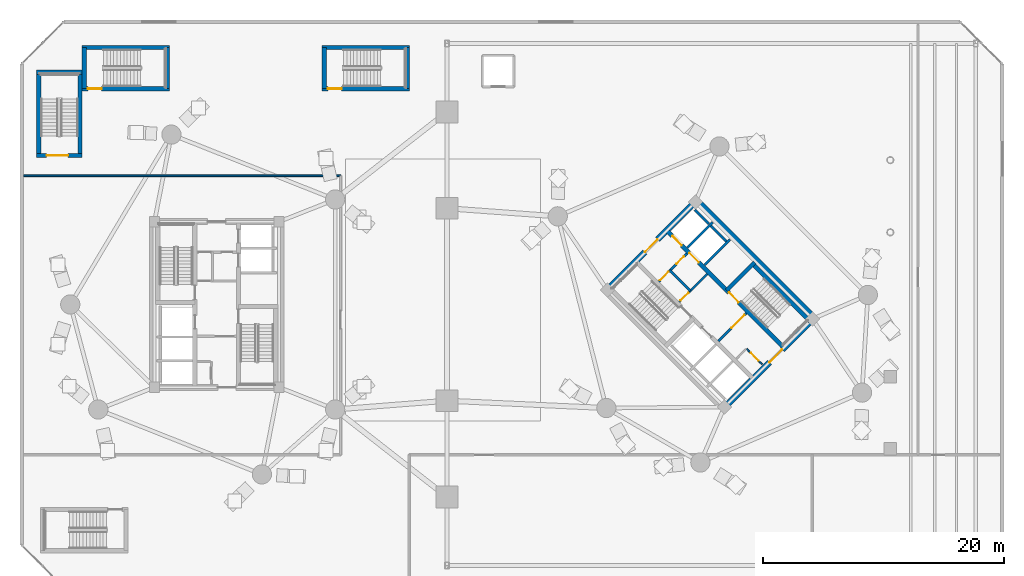
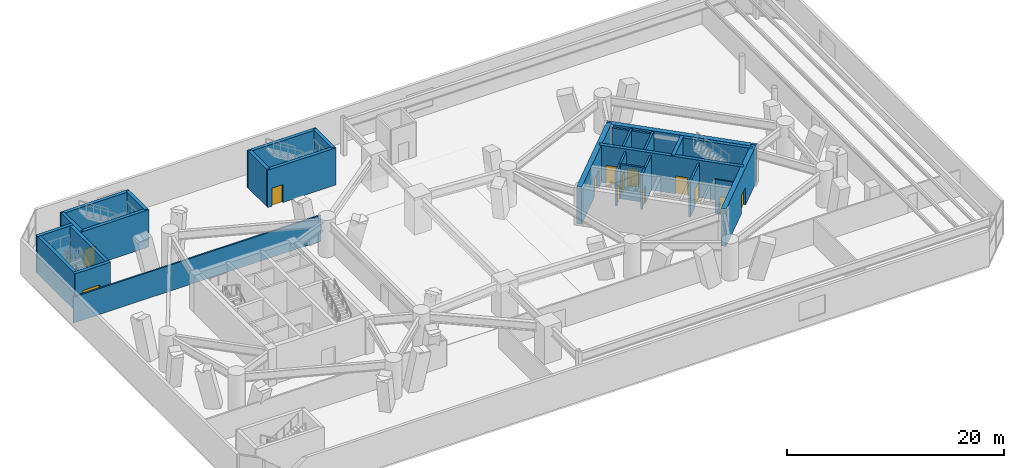
# One storey, part 13 of 20: 28 walls, 13 doors, 13 openings.
"""IFC4 building model written with IfcOpenShell, lengths in metres."""

from ifc_helpers import new_model, si_unit, direction, frame, frame_2d, origin, place, context, subcontext, project, spatial, rectangle, extrude, source, transform, mapped, material, layer, layer_set, type_object, element, fill, save


model = new_model("IFC4")

# Units and contexts
model_context = context("Model", 3, precision=1e-05, world=origin(), true_north=direction((0.0, 1.0)))
body_context = subcontext(model_context, "Body", "Model", "MODEL_VIEW")
ifc_project = project(units=[si_unit("LENGTHUNIT", "METRE"), si_unit("AREAUNIT", "SQUARE_METRE"), si_unit("VOLUMEUNIT", "CUBIC_METRE"), si_unit("PLANEANGLEUNIT", "RADIAN"), si_unit("MASSUNIT", "GRAM", prefix="KILO")], contexts=[model_context])

# Site, building, storey
site_placement = place(None, origin())
site = spatial("IfcSite", under=ifc_project, at=site_placement, CompositionType="ELEMENT")
building_placement = place(site_placement, origin())
building = spatial("IfcBuilding", under=site, at=building_placement, Name="Cununo Teusaquillo Station Towers", CompositionType="ELEMENT")
storey_placement = place(building_placement, frame((0.0, 0.0, 9.0)))
storey = spatial("IfcBuildingStorey", under=building, at=storey_placement, Name="L02", CompositionType="ELEMENT", Elevation=9.0)

# Walls
ifc_material_1 = material(Name="Concrete C50/60", Category="concrete")
ifc_layer_1 = layer(ifc_material_1, 0.199951171875)
ifc_layer_set_1 = layer_set([ifc_layer_1], Name="Concrete C50/60")
wall_type_1 = type_object("IfcWallType", Name="WL-CORE-200", PredefinedType="SHEAR", material=ifc_layer_set_1)
wall_1_placement = place(storey_placement, frame((57.0615234375, 27.781005859375, 0.0), z_axis=(0.0, 0.0, 1.0), x_axis=(0.707106781187, 0.707106781187, 0.0)))
element("IfcWall", 1, at=wall_1_placement, inside=storey, type_object=wall_type_1, Name="L02 Tower B Low-Rise Lift Hoistway South Shear Wall", PredefinedType="SHEAR", context=body_context, shape_type="SweptSolid", body=[
    extrude(rectangle(XDim=2.969970703125, YDim=0.199951171875, at=frame_2d((1.48486328125, 0.0))), origin(), (0.0, 0.0, 1.0), 4.199951171875),
])
wall_2_placement = place(storey_placement, frame((55.615478515625, 29.22705078125, 0.0), z_axis=(0.0, 0.0, 1.0), x_axis=(0.707147878904, 0.70706568108, 0.0)))
element("IfcWall", 2, at=wall_2_placement, inside=storey, type_object=wall_type_1, Name="L02 Tower B Low-Rise Lift Hoistway Divider Shear Wall", PredefinedType="SHEAR", context=body_context, shape_type="SweptSolid", body=[
    extrude(rectangle(XDim=2.97021484375, YDim=0.199951171875, at=frame_2d((1.485107421875, 0.0))), origin(), (0.0, 0.0, 1.0), 4.199951171875),
])
wall_3_placement = place(storey_placement, frame((58.86474609375, 29.75390625, 0.0), z_axis=(0.0, 0.0, 1.0), x_axis=(-0.707174411312, 0.707039144592, 0.0)))
element("IfcWall", 3, at=wall_3_placement, inside=storey, type_object=wall_type_1, Name="L02 Tower B Low-Rise Lift 1 Shaft Rear Shear Wall", PredefinedType="SHEAR", context=body_context, shape_type="SweptSolid", body=[
    extrude(rectangle(XDim=1.804931640625, YDim=0.199951171875, at=frame_2d((0.90234375, 0.0))), origin(), (0.0, 0.0, 1.0), 4.199951171875),
])
wall_4_placement = place(storey_placement, frame((57.418701171875, 31.19970703125, 0.0), z_axis=(0.0, 0.0, 1.0), x_axis=(-0.707032117043, 0.707181437447, 0.0)))
element("IfcWall", 4, at=wall_4_placement, inside=storey, type_object=wall_type_1, Name="L02 Tower B Low-Rise Lift 2 Shaft Rear Shear Wall", PredefinedType="SHEAR", context=body_context, shape_type="SweptSolid", body=[
    extrude(rectangle(XDim=1.635009765625, YDim=0.199951171875, at=frame_2d((0.8173828125, 0.0))), origin(), (0.0, 0.0, 1.0), 4.199951171875),
])

# Wall, opening, door
ifc_material_2 = material(Name="Concrete C50/60", Category="concrete")
ifc_layer_2 = layer(ifc_material_2, 0.35009765625)
ifc_layer_set_2 = layer_set([ifc_layer_2], Name="Concrete C50/60")
wall_type_2 = type_object("IfcWallType", Name="WL-CORE-350", PredefinedType="SHEAR", material=ifc_layer_set_2)
wall_5_placement = place(storey_placement, frame((25.260009765625, 42.43505859375, 0.0), z_axis=(0.0, 0.0, 1.0), x_axis=(1.0, 0.0, 0.0)))
wall_5 = element("IfcWall", 5, at=wall_5_placement, inside=storey, type_object=wall_type_2, Name="L02 Podium North Exit Stair Concrete Shaft Wall S", PredefinedType="SHEAR", context=body_context, shape_type="SweptSolid", body=[
    extrude(rectangle(XDim=7.280029296875, YDim=0.35009765625, at=frame_2d((3.64013671875, 0.0))), origin(), (0.0, 0.0, 1.0), 4.199951171875),
])
shared_shape_1 = source(origin(), body_context, "Body", "SweptSolid", [
    extrude(rectangle(XDim=1.14990234375, YDim=2.02001953125, at=frame_2d((0.574951171875, 1.010009765625))), frame((0.0, 0.18505859375, 0.0), z_axis=(0.0, -1.0, 0.0), x_axis=(1.0, 0.0, 0.0)), (0.0, 0.0, 1.0), 0.3701171875),
])
opening_1_placement = place(wall_5_placement, frame((0.47998046875, 0.0, 0.0)))
opening_1 = element("IfcOpeningElement", 6, at=opening_1_placement, cuts=wall_5, Name="Opening D-ST1", PredefinedType="OPENING", context=body_context, shape_type="MappedRepresentation", body=[
    mapped(shared_shape_1, transform((0.0, 0.0, 0.0), x_axis=(1.0, 0.0, 0.0), y_axis=(0.0, 1.0, 0.0), z_axis=(0.0, 0.0, 1.0), scale=1.0)),
])
ifc_material_3 = material(Name="Galvanised fire-rated hollow steel door assembly", Category="steel")
door_type_1 = type_object("IfcDoorType", Name="DR-STAIR-1150", OperationType="NOTDEFINED", PredefinedType="DOOR", material=ifc_material_3)
shared_shape_2 = source(origin(), body_context, "Body", "SweptSolid", [
    extrude(rectangle(XDim=1.14990234375, YDim=2.02001953125, at=frame_2d((0.574951171875, 1.010009765625))), frame((0.0, 0.02490234375, 0.0), z_axis=(0.0, -1.0, 0.0), x_axis=(1.0, 0.0, 0.0)), (0.0, 0.0, 1.0), 0.050048828125),
])
door_1_placement = place(opening_1_placement, origin())
door_1 = element("IfcDoor", 7, at=door_1_placement, inside=storey, type_object=door_type_1, Name="L02 North Podium Exit Stair Door", OperationType="SINGLE_SWING_LEFT", OverallHeight=2.02001953125, OverallWidth=1.14990234375, PredefinedType="DOOR", context=body_context, shape_type="MappedRepresentation", body=[
    mapped(shared_shape_2, transform((0.0, 0.0, 0.0), x_axis=(1.0, 0.0, 0.0), y_axis=(0.0, 1.0, 0.0), z_axis=(0.0, 0.0, 1.0), scale=1.0)),
])
fill(opening_1, door_1)

# Walls
wall_6_placement = place(storey_placement, frame((25.260009765625, 45.864990234375, 0.0), z_axis=(0.0, 0.0, 1.0), x_axis=(1.0, 0.0, 0.0)))
element("IfcWall", 8, at=wall_6_placement, inside=storey, type_object=wall_type_2, Name="L02 Podium North Exit Stair Concrete Shaft Wall N", PredefinedType="SHEAR", context=body_context, shape_type="SweptSolid", body=[
    extrude(rectangle(XDim=7.280029296875, YDim=0.35009765625, at=frame_2d((3.64013671875, 0.0))), origin(), (0.0, 0.0, 1.0), 4.199951171875),
])
for number, where, z_axis, x_axis, name in (
    (9, (25.43505859375, 42.43505859375, 0.0), (0.0, 0.0, 1.0), (0.0, 1.0, 0.0), "L02 Podium North Exit Stair Concrete Shaft Wall W"),
    (10, (32.364990234375, 42.43505859375, 0.0), (0.0, 0.0, 1.0), (0.0, 1.0, 0.0), "L02 Podium North Exit Stair Concrete Shaft Wall E"),
):
    element("IfcWall", number, at=place(storey_placement, frame(where, z_axis=z_axis, x_axis=x_axis)), inside=storey, type_object=wall_type_2, Name=name, PredefinedType="SHEAR", context=body_context, shape_type="SweptSolid", body=[
        extrude(rectangle(XDim=3.429931640625, YDim=0.35009765625, at=frame_2d((1.71484375, 0.0))), origin(), (0.0, 0.0, 1.0), 4.199951171875),
    ])

# Wall, opening, door
wall_7_placement = place(storey_placement, frame((1.5400390625, 36.885009765625, 0.0), z_axis=(0.0, 0.0, 1.0), x_axis=(1.0, 0.0, 0.0)))
wall_7 = element("IfcWall", 11, at=wall_7_placement, inside=storey, type_object=wall_type_2, Name="L02 Podium West Exit Stair Concrete Shaft Wall S", PredefinedType="SHEAR", context=body_context, shape_type="SweptSolid", body=[
    extrude(rectangle(XDim=3.780029296875, YDim=0.35009765625, at=frame_2d((1.89013671875, 0.0))), origin(), (0.0, 0.0, 1.0), 4.199951171875),
])
shared_shape_3 = source(origin(), body_context, "Body", "SweptSolid", [
    extrude(rectangle(XDim=1.800048828125, YDim=2.050048828125, at=frame_2d((0.89990234375, 1.02490234375))), frame((0.0, 0.18505859375, 0.0), z_axis=(0.0, -1.0, 0.0), x_axis=(1.0, 0.0, 0.0)), (0.0, 0.0, 1.0), 0.3701171875),
])
opening_2_placement = place(wall_7_placement, frame((0.81494140625, 0.0, 0.0)))
opening_2 = element("IfcOpeningElement", 12, at=opening_2_placement, cuts=wall_7, Name="Opening D-BG1", PredefinedType="OPENING", context=body_context, shape_type="MappedRepresentation", body=[
    mapped(shared_shape_3, transform((0.0, 0.0, 0.0), x_axis=(1.0, 0.0, 0.0), y_axis=(0.0, 1.0, 0.0), z_axis=(0.0, 0.0, 1.0), scale=1.0)),
])
ifc_material_4 = material(Name="Galvanised fire-rated hollow steel door assembly", Category="steel")
door_type_2 = type_object("IfcDoorType", Name="DR-BRIDGE-1800", OperationType="DOUBLE_DOOR_SINGLE_SWING", PredefinedType="DOOR", material=ifc_material_4)
shared_shape_4 = source(origin(), body_context, "Body", "SweptSolid", [
    extrude(rectangle(XDim=1.800048828125, YDim=2.050048828125, at=frame_2d((0.89990234375, 1.02490234375))), frame((0.0, 0.02490234375, 0.0), z_axis=(0.0, -1.0, 0.0), x_axis=(1.0, 0.0, 0.0)), (0.0, 0.0, 1.0), 0.050048828125),
])
door_2_placement = place(opening_2_placement, origin())
door_2 = element("IfcDoor", 13, at=door_2_placement, inside=storey, type_object=door_type_2, Name="L02 West Podium Exit Stair Door", OperationType="DOUBLE_DOOR_SINGLE_SWING", OverallHeight=2.050048828125, OverallWidth=1.800048828125, PredefinedType="DOOR", context=body_context, shape_type="MappedRepresentation", body=[
    mapped(shared_shape_4, transform((0.0, 0.0, 0.0), x_axis=(1.0, 0.0, 0.0), y_axis=(0.0, 1.0, 0.0), z_axis=(0.0, 0.0, 1.0), scale=1.0)),
])
fill(opening_2, door_2)

# Walls
wall_8_placement = place(storey_placement, frame((1.5400390625, 43.81494140625, 0.0), z_axis=(0.0, 0.0, 1.0), x_axis=(1.0, 0.0, 0.0)))
element("IfcWall", 14, at=wall_8_placement, inside=storey, type_object=wall_type_2, Name="L02 Podium West Exit Stair Concrete Shaft Wall N", PredefinedType="SHEAR", context=body_context, shape_type="SweptSolid", body=[
    extrude(rectangle(XDim=3.780029296875, YDim=0.35009765625, at=frame_2d((1.89013671875, 0.0))), origin(), (0.0, 0.0, 1.0), 4.199951171875),
])
for number, where, z_axis, x_axis, name in (
    (15, (1.715087890625, 36.885009765625, 0.0), (0.0, 0.0, 1.0), (0.0, 1.0, 0.0), "L02 Podium West Exit Stair Concrete Shaft Wall W"),
    (16, (5.14501953125, 36.885009765625, 0.0), (0.0, 0.0, 1.0), (0.0, 1.0, 0.0), "L02 Podium West Exit Stair Concrete Shaft Wall E"),
):
    element("IfcWall", number, at=place(storey_placement, frame(where, z_axis=z_axis, x_axis=x_axis)), inside=storey, type_object=wall_type_2, Name=name, PredefinedType="SHEAR", context=body_context, shape_type="SweptSolid", body=[
        extrude(rectangle(XDim=6.929931640625, YDim=0.35009765625, at=frame_2d((3.46484375, 0.0))), origin(), (0.0, 0.0, 1.0), 4.199951171875),
    ])

# Wall, opening, door
wall_9_placement = place(storey_placement, frame((5.31005859375, 42.43505859375, 0.0), z_axis=(0.0, 0.0, 1.0), x_axis=(1.0, 0.0, 0.0)))
wall_9 = element("IfcWall", 17, at=wall_9_placement, inside=storey, type_object=wall_type_2, Name="L02 Podium North-West Exit Stair Concrete Shaft Wall S", PredefinedType="SHEAR", context=body_context, shape_type="SweptSolid", body=[
    extrude(rectangle(XDim=7.280029296875, YDim=0.35009765625, at=frame_2d((3.64013671875, 0.0))), origin(), (0.0, 0.0, 1.0), 4.199951171875),
])
opening_3_placement = place(wall_9_placement, frame((0.47998046875, 0.0, 0.0)))
opening_3 = element("IfcOpeningElement", 18, at=opening_3_placement, cuts=wall_9, Name="Opening D-ST1", PredefinedType="OPENING", context=body_context, shape_type="MappedRepresentation", body=[
    mapped(shared_shape_1, transform((0.0, 0.0, 0.0), x_axis=(1.0, 0.0, 0.0), y_axis=(0.0, 1.0, 0.0), z_axis=(0.0, 0.0, 1.0), scale=1.0)),
])
door_3_placement = place(opening_3_placement, origin())
door_3 = element("IfcDoor", 19, at=door_3_placement, inside=storey, type_object=door_type_1, Name="L02 North-West Podium Exit Stair Door", OperationType="SINGLE_SWING_LEFT", OverallHeight=2.02001953125, OverallWidth=1.14990234375, PredefinedType="DOOR", context=body_context, shape_type="MappedRepresentation", body=[
    mapped(shared_shape_2, transform((0.0, 0.0, 0.0), x_axis=(1.0, 0.0, 0.0), y_axis=(0.0, 1.0, 0.0), z_axis=(0.0, 0.0, 1.0), scale=1.0)),
])
fill(opening_3, door_3)

# Walls
wall_10_placement = place(storey_placement, frame((5.31005859375, 45.864990234375, 0.0), z_axis=(0.0, 0.0, 1.0), x_axis=(1.0, 0.0, 0.0)))
element("IfcWall", 20, at=wall_10_placement, inside=storey, type_object=wall_type_2, Name="L02 Podium North-West Exit Stair Concrete Shaft Wall N", PredefinedType="SHEAR", context=body_context, shape_type="SweptSolid", body=[
    extrude(rectangle(XDim=7.280029296875, YDim=0.35009765625, at=frame_2d((3.64013671875, 0.0))), origin(), (0.0, 0.0, 1.0), 4.199951171875),
])
for number, where, z_axis, x_axis, name in (
    (21, (5.485107421875, 42.43505859375, 0.0), (0.0, 0.0, 1.0), (0.0, 1.0, 0.0), "L02 Podium North-West Exit Stair Concrete Shaft Wall W"),
    (22, (12.4150390625, 42.43505859375, 0.0), (0.0, 0.0, 1.0), (0.0, 1.0, 0.0), "L02 Podium North-West Exit Stair Concrete Shaft Wall E"),
):
    element("IfcWall", number, at=place(storey_placement, frame(where, z_axis=z_axis, x_axis=x_axis)), inside=storey, type_object=wall_type_2, Name=name, PredefinedType="SHEAR", context=body_context, shape_type="SweptSolid", body=[
        extrude(rectangle(XDim=3.429931640625, YDim=0.35009765625, at=frame_2d((1.71484375, 0.0))), origin(), (0.0, 0.0, 1.0), 4.199951171875),
    ])

# Wall, openings, doors
wall_11_placement = place(storey_placement, frame((63.662353515625, 20.904296875, 0.0), z_axis=(0.0, 0.0, 1.0), x_axis=(-0.707106781187, 0.707106781187, 0.0)))
wall_11 = element("IfcWall", 23, at=wall_11_placement, inside=storey, type_object=wall_type_2, Name="L02 Tower B Core Shear Wall IE", PredefinedType="SHEAR", context=body_context, shape_type="SweptSolid", body=[
    extrude(rectangle(XDim=13.800048828125, YDim=0.35009765625, at=frame_2d((6.89990234375, 0.0))), origin(), (0.0, 0.0, 1.0), 4.199951171875),
])
shared_shape_5 = source(origin(), body_context, "Body", "SweptSolid", [
    extrude(rectangle(XDim=1.10009765625, YDim=2.014892578125, at=frame_2d((0.550048828125, 1.00732421875))), frame((0.0, 0.18505859375, 0.0), z_axis=(0.0, -1.0, 0.0), x_axis=(1.0, 0.0, 0.0)), (0.0, 0.0, 1.0), 0.3701171875),
])
opening_4_placement = place(wall_11_placement, frame((10.02490234375, 0.0, 0.0)))
opening_4 = element("IfcOpeningElement", 24, at=opening_4_placement, cuts=wall_11, Name="Opening LD-01", PredefinedType="OPENING", context=body_context, shape_type="MappedRepresentation", body=[
    mapped(shared_shape_5, transform((0.0, 0.0, 0.0), x_axis=(1.0, 0.0, 0.0), y_axis=(0.0, 1.0, 0.0), z_axis=(0.0, 0.0, 1.0), scale=1.0)),
])
opening_5_placement = place(wall_11_placement, frame((12.02490234375, 0.0, 0.0)))
opening_5 = element("IfcOpeningElement", 25, at=opening_5_placement, cuts=wall_11, Name="Opening LD-01", PredefinedType="OPENING", context=body_context, shape_type="MappedRepresentation", body=[
    mapped(shared_shape_5, transform((0.0, 0.0, 0.0), x_axis=(1.0, 0.0, 0.0), y_axis=(0.0, 1.0, 0.0), z_axis=(0.0, 0.0, 1.0), scale=1.0)),
])
opening_6_placement = place(wall_11_placement, frame((5.330078125, 0.0, 0.0)))
opening_6 = element("IfcOpeningElement", 26, at=opening_6_placement, cuts=wall_11, Name="Opening D-ST1", PredefinedType="OPENING", context=body_context, shape_type="MappedRepresentation", body=[
    mapped(shared_shape_1, transform((0.0, 0.0, 0.0), x_axis=(1.0, 0.0, 0.0), y_axis=(0.0, 1.0, 0.0), z_axis=(0.0, 0.0, 1.0), scale=1.0)),
])
ifc_material_5 = material(Name="Galvanised fire-rated hollow steel door assembly", Category="steel")
door_type_3 = type_object("IfcDoorType", Name="DR-LIFT-1100", OperationType="SLIDING_TO_LEFT", PredefinedType="DOOR", material=ifc_material_5)
shared_shape_6 = source(origin(), body_context, "Body", "SweptSolid", [
    extrude(rectangle(XDim=1.10009765625, YDim=2.014892578125, at=frame_2d((0.550048828125, 1.00732421875))), frame((0.0, 0.02490234375, 0.0), z_axis=(0.0, -1.0, 0.0), x_axis=(1.0, 0.0, 0.0)), (0.0, 0.0, 1.0), 0.050048828125),
])
door_4_placement = place(opening_4_placement, origin())
door_4 = element("IfcDoor", 27, at=door_4_placement, inside=storey, type_object=door_type_3, Name="L02 Lift PL-T2-L1 Sliding Landing Door", OperationType="SLIDING_TO_LEFT", OverallHeight=2.014892578125, OverallWidth=1.10009765625, PredefinedType="DOOR", context=body_context, shape_type="MappedRepresentation", body=[
    mapped(shared_shape_6, transform((0.0, 0.0, 0.0), x_axis=(1.0, 0.0, 0.0), y_axis=(0.0, 1.0, 0.0), z_axis=(0.0, 0.0, 1.0), scale=1.0)),
])
fill(opening_4, door_4)
door_5_placement = place(opening_5_placement, origin())
door_5 = element("IfcDoor", 28, at=door_5_placement, inside=storey, type_object=door_type_3, Name="L02 Lift PL-T2-L2 Sliding Landing Door", OperationType="SLIDING_TO_RIGHT", OverallHeight=2.014892578125, OverallWidth=1.10009765625, PredefinedType="DOOR", context=body_context, shape_type="MappedRepresentation", body=[
    mapped(shared_shape_6, transform((0.0, 0.0, 0.0), x_axis=(1.0, 0.0, 0.0), y_axis=(0.0, 1.0, 0.0), z_axis=(0.0, 0.0, 1.0), scale=1.0)),
])
fill(opening_5, door_5)
door_6_placement = place(opening_6_placement, origin())
door_6 = element("IfcDoor", 29, at=door_6_placement, inside=storey, type_object=door_type_1, Name="L02 Tower B Exit Stair 2 Fire Door", OperationType="SINGLE_SWING_RIGHT", OverallHeight=2.02001953125, OverallWidth=1.14990234375, PredefinedType="DOOR", context=body_context, shape_type="MappedRepresentation", body=[
    mapped(shared_shape_2, transform((0.0, 0.0, 0.0), x_axis=(1.0, 0.0, 0.0), y_axis=(0.0, 1.0, 0.0), z_axis=(0.0, 0.0, 1.0), scale=1.0)),
])
fill(opening_6, door_6)

# Walls
wall_12_placement = place(storey_placement, frame((65.847412109375, 23.08935546875, 0.0), z_axis=(0.0, 0.0, 1.0), x_axis=(-0.707106781187, 0.707106781187, 0.0)))
element("IfcWall", 30, at=wall_12_placement, inside=storey, type_object=wall_type_2, Name="L02 Tower B Core Shear Wall ST2E", PredefinedType="SHEAR", context=body_context, shape_type="SweptSolid", body=[
    extrude(rectangle(XDim=6.7451171875, YDim=0.35009765625, at=frame_2d((3.37255859375, 0.0))), origin(), (0.0, 0.0, 1.0), 4.199951171875),
])
wall_13_placement = place(storey_placement, frame((58.89306640625, 25.673828125, 0.0), z_axis=(0.0, 0.0, 1.0), x_axis=(0.707106781187, 0.707106781187, 0.0)))
element("IfcWall", 31, at=wall_13_placement, inside=storey, type_object=wall_type_2, Name="L02 Tower B Core Shear Wall ST2N", PredefinedType="SHEAR", context=body_context, shape_type="SweptSolid", body=[
    extrude(rectangle(XDim=3.284912109375, YDim=0.35009765625, at=frame_2d((1.642578125, 0.0))), origin(), (0.0, 0.0, 1.0), 4.199951171875),
])
ifc_material_6 = material(Name="Concrete C60/75", Category="concrete")
ifc_layer_3 = layer(ifc_material_6, 0.5)
ifc_layer_set_3 = layer_set([ifc_layer_3], Name="Concrete C60/75")
wall_type_3 = type_object("IfcWallType", Name="WL-CORE-500", PredefinedType="SHEAR", material=ifc_layer_set_3)
wall_14_placement = place(storey_placement, frame((66.3388671875, 23.227294921875, 0.0), z_axis=(0.0, 0.0, 1.0), x_axis=(-0.707106781187, 0.707106781187, 0.0)))
element("IfcWall", 32, at=wall_14_placement, inside=storey, type_object=wall_type_3, Name="L02 Tower B Core Shear Wall E", PredefinedType="SHEAR", context=body_context, shape_type="SweptSolid", body=[
    extrude(rectangle(XDim=14.2998046875, YDim=0.5, at=frame_2d((7.14990234375, 0.0))), origin(), (0.0, 0.0, 1.0), 4.199951171875),
])

# Wall, opening, door
wall_15_placement = place(storey_placement, frame((58.595947265625, 15.837890625, 0.0), z_axis=(0.0, 0.0, 1.0), x_axis=(0.707106781187, 0.707106781187, 0.0)))
wall_15 = element("IfcWall", 33, at=wall_15_placement, inside=storey, type_object=wall_type_3, Name="L02 Tower B Core Shear Wall S", PredefinedType="SHEAR", context=body_context, shape_type="SweptSolid", body=[
    extrude(rectangle(XDim=10.7001953125, YDim=0.5, at=frame_2d((5.35009765625, 0.0))), origin(), (0.0, 0.0, 1.0), 4.199951171875),
])
shared_shape_7 = source(origin(), body_context, "Body", "SweptSolid", [
    extrude(rectangle(XDim=1.5, YDim=2.02001953125, at=frame_2d((0.75, 1.010009765625))), frame((0.0, 0.260009765625, 0.0), z_axis=(0.0, -1.0, 0.0), x_axis=(1.0, 0.0, 0.0)), (0.0, 0.0, 1.0), 0.52001953125),
])
opening_7_placement = place(wall_15_placement, frame((5.449951171875, 0.0, 0.0)))
opening_7 = element("IfcOpeningElement", 34, at=opening_7_placement, cuts=wall_15, Name="Opening D-LB1", PredefinedType="OPENING", context=body_context, shape_type="MappedRepresentation", body=[
    mapped(shared_shape_7, transform((0.0, 0.0, 0.0), x_axis=(1.0, 0.0, 0.0), y_axis=(0.0, 1.0, 0.0), z_axis=(0.0, 0.0, 1.0), scale=1.0)),
])
ifc_material_7 = material(Name="Galvanised fire-rated hollow steel door assembly", Category="steel")
door_type_4 = type_object("IfcDoorType", Name="DR-LOBBY-1500", OperationType="DOUBLE_DOOR_SINGLE_SWING", PredefinedType="DOOR", material=ifc_material_7)
shared_shape_8 = source(origin(), body_context, "Body", "SweptSolid", [
    extrude(rectangle(XDim=1.5, YDim=2.02001953125, at=frame_2d((0.75, 1.010009765625))), frame((0.0, 0.02490234375, 0.0), z_axis=(0.0, -1.0, 0.0), x_axis=(1.0, 0.0, 0.0)), (0.0, 0.0, 1.0), 0.050048828125),
])
door_7_placement = place(opening_7_placement, origin())
door_7 = element("IfcDoor", 35, at=door_7_placement, inside=storey, type_object=door_type_4, Name="L02 Tower B South Core Lift Lobby Door", OperationType="DOUBLE_DOOR_SINGLE_SWING", OverallHeight=2.02001953125, OverallWidth=1.5, PredefinedType="DOOR", context=body_context, shape_type="MappedRepresentation", body=[
    mapped(shared_shape_8, transform((0.0, 0.0, 0.0), x_axis=(1.0, 0.0, 0.0), y_axis=(0.0, 1.0, 0.0), z_axis=(0.0, 0.0, 1.0), scale=1.0)),
])
fill(opening_7, door_7)

wall_16_placement = place(storey_placement, frame((48.837890625, 25.595947265625, 0.0), z_axis=(0.0, 0.0, 1.0), x_axis=(0.707106781187, 0.707106781187, 0.0)))
wall_16 = element("IfcWall", 36, at=wall_16_placement, inside=storey, type_object=wall_type_3, Name="L02 Tower B Core Shear Wall N", PredefinedType="SHEAR", context=body_context, shape_type="SweptSolid", body=[
    extrude(rectangle(XDim=10.7001953125, YDim=0.5, at=frame_2d((5.35009765625, 0.0))), origin(), (0.0, 0.0, 1.0), 4.199951171875),
])
opening_8_placement = place(wall_16_placement, frame((4.60009765625, 0.0, 0.0)))
opening_8 = element("IfcOpeningElement", 37, at=opening_8_placement, cuts=wall_16, Name="Opening D-LB1", PredefinedType="OPENING", context=body_context, shape_type="MappedRepresentation", body=[
    mapped(shared_shape_7, transform((0.0, 0.0, 0.0), x_axis=(1.0, 0.0, 0.0), y_axis=(0.0, 1.0, 0.0), z_axis=(0.0, 0.0, 1.0), scale=1.0)),
])
door_8_placement = place(opening_8_placement, origin())
door_8 = element("IfcDoor", 38, at=door_8_placement, inside=storey, type_object=door_type_4, Name="L02 Tower B North Core Lift Lobby Door", OperationType="DOUBLE_DOOR_SINGLE_SWING", OverallHeight=2.02001953125, OverallWidth=1.5, PredefinedType="DOOR", context=body_context, shape_type="MappedRepresentation", body=[
    mapped(shared_shape_8, transform((0.0, 0.0, 0.0), x_axis=(1.0, 0.0, 0.0), y_axis=(0.0, 1.0, 0.0), z_axis=(0.0, 0.0, 1.0), scale=1.0)),
])
fill(opening_8, door_8)

ifc_material_8 = material(Name="Fire-rated gypsum plasterboard partition assembly", Category="gypsum")
ifc_layer_4 = layer(ifc_material_8, 0.125)
ifc_layer_set_4 = layer_set([ifc_layer_4], Name="Fire-rated gypsum plasterboard partition assembly")
wall_type_4 = type_object("IfcWallType", Name="WL-PART-125", PredefinedType="PARTITIONING", material=ifc_layer_set_4)
wall_17_placement = place(storey_placement, frame((61.834716796875, 19.529052734375, 0.0), z_axis=(0.0, 0.0, 1.0), x_axis=(-0.707174592913, 0.707038962956, 0.0)))
wall_17 = element("IfcWall", 39, at=wall_17_placement, inside=storey, type_object=wall_type_4, Name="L02 Tower B South-West Compact Store East Wall", PredefinedType="PARTITIONING", context=body_context, shape_type="SweptSolid", body=[
    extrude(rectangle(XDim=1.800048828125, YDim=0.125, at=frame_2d((0.89990234375, 0.0))), origin(), (0.0, 0.0, 1.0), 3.885009765625),
])
shared_shape_9 = source(origin(), body_context, "Body", "SweptSolid", [
    extrude(rectangle(XDim=0.89990234375, YDim=2.0048828125, at=frame_2d((0.449951171875, 1.00244140625))), frame((0.0, 0.072509765625, 0.0), z_axis=(0.0, -1.0, 0.0), x_axis=(1.0, 0.0, 0.0)), (0.0, 0.0, 1.0), 0.14501953125),
])
opening_9_placement = place(wall_17_placement, frame((0.419921875, 0.0, 0.0)))
opening_9 = element("IfcOpeningElement", 40, at=opening_9_placement, cuts=wall_17, Name="Opening D-SR1", PredefinedType="OPENING", context=body_context, shape_type="MappedRepresentation", body=[
    mapped(shared_shape_9, transform((0.0, 0.0, 0.0), x_axis=(1.0, 0.0, 0.0), y_axis=(0.0, 1.0, 0.0), z_axis=(0.0, 0.0, 1.0), scale=1.0)),
])
ifc_material_9 = material(Name="Galvanised fire-rated hollow steel door assembly", Category="steel")
door_type_5 = type_object("IfcDoorType", Name="DR-STORE-900", OperationType="NOTDEFINED", PredefinedType="DOOR", material=ifc_material_9)
shared_shape_10 = source(origin(), body_context, "Body", "SweptSolid", [
    extrude(rectangle(XDim=0.89990234375, YDim=2.0048828125, at=frame_2d((0.449951171875, 1.00244140625))), frame((0.0, 0.02490234375, 0.0), z_axis=(0.0, -1.0, 0.0), x_axis=(1.0, 0.0, 0.0)), (0.0, 0.0, 1.0), 0.050048828125),
])
door_9_placement = place(opening_9_placement, origin())
door_9 = element("IfcDoor", 41, at=door_9_placement, inside=storey, type_object=door_type_5, Name="L02 Tower B Core Electrical & Comms Store Door", OperationType="SINGLE_SWING_LEFT", OverallHeight=2.0048828125, OverallWidth=0.89990234375, PredefinedType="DOOR", context=body_context, shape_type="MappedRepresentation", body=[
    mapped(shared_shape_10, transform((0.0, 0.0, 0.0), x_axis=(1.0, 0.0, 0.0), y_axis=(0.0, 1.0, 0.0), z_axis=(0.0, 0.0, 1.0), scale=1.0)),
])
fill(opening_9, door_9)

# Wall
ifc_material_10 = material(Name="Fire-rated gypsum plasterboard partition assembly", Category="gypsum")
ifc_layer_5 = layer(ifc_material_10, 0.159912109375)
ifc_layer_set_5 = layer_set([ifc_layer_5], Name="Fire-rated gypsum plasterboard partition assembly")
wall_type_5 = type_object("IfcWallType", Name="WL-PART-160", PredefinedType="PARTITIONING", material=ifc_layer_set_5)
wall_18_placement = place(storey_placement, frame((0.449951171875, 35.199951171875, 0.0), z_axis=(0.0, 0.0, 1.0), x_axis=(1.0, 0.0, 0.0)))
element("IfcWall", 42, at=wall_18_placement, inside=storey, type_object=wall_type_5, Name="L02 West Wing North Wall", PredefinedType="PARTITIONING", context=body_context, shape_type="SweptSolid", body=[
    extrude(rectangle(XDim=26.35009765625, YDim=0.159912109375, at=frame_2d((13.175048828125, 0.0))), origin(), (0.0, 0.0, 1.0), 2.928955078125),
])

# Wall, opening, door
ifc_material_11 = material(Name="Fire-rated gypsum plasterboard partition assembly", Category="gypsum")
ifc_layer_6 = layer(ifc_material_11, 0.199951171875)
ifc_layer_set_6 = layer_set([ifc_layer_6], Name="Fire-rated gypsum plasterboard partition assembly")
wall_type_6 = type_object("IfcWallType", Name="WL-PART-200", PredefinedType="PARTITIONING", material=ifc_layer_set_6)
wall_19_placement = place(storey_placement, frame((58.214111328125, 21.466552734375, 0.0), z_axis=(0.0, 0.0, 1.0), x_axis=(0.707106781187, 0.707106781187, 0.0)))
wall_19 = element("IfcWall", 43, at=wall_19_placement, inside=storey, type_object=wall_type_6, Name="L02 Tower B Firefighting Lift Lobby South Fire Wall", PredefinedType="PARTITIONING", context=body_context, shape_type="SweptSolid", body=[
    extrude(rectangle(XDim=3.280029296875, YDim=0.199951171875, at=frame_2d((1.64013671875, 0.0))), origin(), (0.0, 0.0, 1.0), 3.885009765625),
])
shared_shape_11 = source(origin(), body_context, "Body", "SweptSolid", [
    extrude(rectangle(XDim=1.5, YDim=2.02001953125, at=frame_2d((0.75, 1.010009765625))), frame((0.0, 0.10986328125, 0.0), z_axis=(0.0, -1.0, 0.0), x_axis=(1.0, 0.0, 0.0)), (0.0, 0.0, 1.0), 0.219970703125),
])
opening_10_placement = place(wall_19_placement, frame((1.550048828125, 0.0, 0.0)))
opening_10 = element("IfcOpeningElement", 44, at=opening_10_placement, cuts=wall_19, Name="Opening D-LB1", PredefinedType="OPENING", context=body_context, shape_type="MappedRepresentation", body=[
    mapped(shared_shape_11, transform((0.0, 0.0, 0.0), x_axis=(1.0, 0.0, 0.0), y_axis=(0.0, 1.0, 0.0), z_axis=(0.0, 0.0, 1.0), scale=1.0)),
])
door_10_placement = place(opening_10_placement, origin())
door_10 = element("IfcDoor", 45, at=door_10_placement, inside=storey, type_object=door_type_4, Name="L02 Tower B Firefighting Lift Lobby South Fire Door", OperationType="DOUBLE_DOOR_SINGLE_SWING", OverallHeight=2.02001953125, OverallWidth=1.5, PredefinedType="DOOR", context=body_context, shape_type="MappedRepresentation", body=[
    mapped(shared_shape_8, transform((0.0, 0.0, 0.0), x_axis=(1.0, 0.0, 0.0), y_axis=(0.0, 1.0, 0.0), z_axis=(0.0, 0.0, 1.0), scale=1.0)),
])
fill(opening_10, door_10)

wall_20_placement = place(storey_placement, frame((54.96142578125, 24.71923828125, 0.0), z_axis=(0.0, 0.0, 1.0), x_axis=(0.707106781187, 0.707106781187, 0.0)))
wall_20 = element("IfcWall", 46, at=wall_20_placement, inside=storey, type_object=wall_type_6, Name="L02 Tower B Firefighting Lift Lobby North Fire Wall", PredefinedType="PARTITIONING", context=body_context, shape_type="SweptSolid", body=[
    extrude(rectangle(XDim=3.280029296875, YDim=0.199951171875, at=frame_2d((1.64013671875, 0.0))), origin(), (0.0, 0.0, 1.0), 3.885009765625),
])
shared_shape_12 = source(origin(), body_context, "Body", "SweptSolid", [
    extrude(rectangle(XDim=0.89990234375, YDim=2.0048828125, at=frame_2d((0.449951171875, 1.00244140625))), frame((0.0, 0.10986328125, 0.0), z_axis=(0.0, -1.0, 0.0), x_axis=(1.0, 0.0, 0.0)), (0.0, 0.0, 1.0), 0.219970703125),
])
opening_11_placement = place(wall_20_placement, frame((0.159912109375, 0.0, 0.0)))
opening_11 = element("IfcOpeningElement", 47, at=opening_11_placement, cuts=wall_20, Name="Opening D-SR1", PredefinedType="OPENING", context=body_context, shape_type="MappedRepresentation", body=[
    mapped(shared_shape_12, transform((0.0, 0.0, 0.0), x_axis=(1.0, 0.0, 0.0), y_axis=(0.0, 1.0, 0.0), z_axis=(0.0, 0.0, 1.0), scale=1.0)),
])
door_11_placement = place(opening_11_placement, origin())
door_11 = element("IfcDoor", 48, at=door_11_placement, inside=storey, type_object=door_type_5, Name="L02 Tower B Stair 1 Protected Vestibule South Door", OperationType="SINGLE_SWING_LEFT", OverallHeight=2.0048828125, OverallWidth=0.89990234375, PredefinedType="DOOR", context=body_context, shape_type="MappedRepresentation", body=[
    mapped(shared_shape_10, transform((0.0, 0.0, 0.0), x_axis=(1.0, 0.0, 0.0), y_axis=(0.0, 1.0, 0.0), z_axis=(0.0, 0.0, 1.0), scale=1.0)),
])
fill(opening_11, door_11)

# Wall
wall_21_placement = place(storey_placement, frame((55.873779296875, 25.63134765625, 0.0), z_axis=(0.0, 0.0, 1.0), x_axis=(-0.707157639372, 0.707055919343, 0.0)))
element("IfcWall", 49, at=wall_21_placement, inside=storey, type_object=wall_type_6, Name="L02 Tower B Stair 1 Vestibule Partition Wall", PredefinedType="PARTITIONING", context=body_context, shape_type="SweptSolid", body=[
    extrude(rectangle(XDim=2.400146484375, YDim=0.199951171875, at=frame_2d((1.2001953125, 0.0))), origin(), (0.0, 0.0, 1.0), 3.885009765625),
])

# Wall, openings, doors
wall_22_placement = place(storey_placement, frame((53.264404296875, 26.416259765625, 0.0), z_axis=(0.0, 0.0, 1.0), x_axis=(0.707106781187, 0.707106781187, 0.0)))
wall_22 = element("IfcWall", 50, at=wall_22_placement, inside=storey, type_object=wall_type_6, Name="L02 Tower B North Lift Lobby South Fire Wall", PredefinedType="PARTITIONING", context=body_context, shape_type="SweptSolid", body=[
    extrude(rectangle(XDim=3.280029296875, YDim=0.199951171875, at=frame_2d((1.64013671875, 0.0))), origin(), (0.0, 0.0, 1.0), 3.885009765625),
])
shared_shape_13 = source(origin(), body_context, "Body", "SweptSolid", [
    extrude(rectangle(XDim=1.0, YDim=2.014892578125, at=frame_2d((0.5, 1.00732421875))), frame((0.0, 0.10986328125, 0.0), z_axis=(0.0, -1.0, 0.0), x_axis=(1.0, 0.0, 0.0)), (0.0, 0.0, 1.0), 0.219970703125),
])
opening_12_placement = place(wall_22_placement, frame((0.139892578125, 0.0, 0.0)))
opening_12 = element("IfcOpeningElement", 51, at=opening_12_placement, cuts=wall_22, Name="Opening D-AC1", PredefinedType="OPENING", context=body_context, shape_type="MappedRepresentation", body=[
    mapped(shared_shape_13, transform((0.0, 0.0, 0.0), x_axis=(1.0, 0.0, 0.0), y_axis=(0.0, 1.0, 0.0), z_axis=(0.0, 0.0, 1.0), scale=1.0)),
])
opening_13_placement = place(wall_22_placement, frame((2.050048828125, 0.0, 0.0)))
opening_13 = element("IfcOpeningElement", 52, at=opening_13_placement, cuts=wall_22, Name="Opening D-SR1", PredefinedType="OPENING", context=body_context, shape_type="MappedRepresentation", body=[
    mapped(shared_shape_12, transform((0.0, 0.0, 0.0), x_axis=(1.0, 0.0, 0.0), y_axis=(0.0, 1.0, 0.0), z_axis=(0.0, 0.0, 1.0), scale=1.0)),
])
door_12_placement = place(opening_13_placement, origin())
door_12 = element("IfcDoor", 53, at=door_12_placement, inside=storey, type_object=door_type_5, Name="L02 Tower B Core Housekeeping & Linen Store Door", OperationType="SINGLE_SWING_RIGHT", OverallHeight=2.0048828125, OverallWidth=0.89990234375, PredefinedType="DOOR", context=body_context, shape_type="MappedRepresentation", body=[
    mapped(shared_shape_10, transform((0.0, 0.0, 0.0), x_axis=(1.0, 0.0, 0.0), y_axis=(0.0, 1.0, 0.0), z_axis=(0.0, 0.0, 1.0), scale=1.0)),
])
fill(opening_13, door_12)
ifc_material_12 = material(Name="Acoustic solid-core hardwood leaf assembly", Category="wood")
door_type_6 = type_object("IfcDoorType", Name="DR-ACC-1000", OperationType="NOTDEFINED", PredefinedType="DOOR", material=ifc_material_12)
shared_shape_14 = source(origin(), body_context, "Body", "SweptSolid", [
    extrude(rectangle(XDim=1.0, YDim=2.014892578125, at=frame_2d((0.5, 1.00732421875))), frame((0.0, 0.02490234375, 0.0), z_axis=(0.0, -1.0, 0.0), x_axis=(1.0, 0.0, 0.0)), (0.0, 0.0, 1.0), 0.050048828125),
])
door_13_placement = place(opening_12_placement, origin())
door_13 = element("IfcDoor", 54, at=door_13_placement, inside=storey, type_object=door_type_6, Name="L02 Tower B North Lift Lobby to Stair 1 Vestibule Door", OperationType="SINGLE_SWING_RIGHT", OverallHeight=2.014892578125, OverallWidth=1.0, PredefinedType="DOOR", context=body_context, shape_type="MappedRepresentation", body=[
    mapped(shared_shape_14, transform((0.0, 0.0, 0.0), x_axis=(1.0, 0.0, 0.0), y_axis=(0.0, 1.0, 0.0), z_axis=(0.0, 0.0, 1.0), scale=1.0)),
])
fill(opening_12, door_13)

save(model, "model.ifc")
